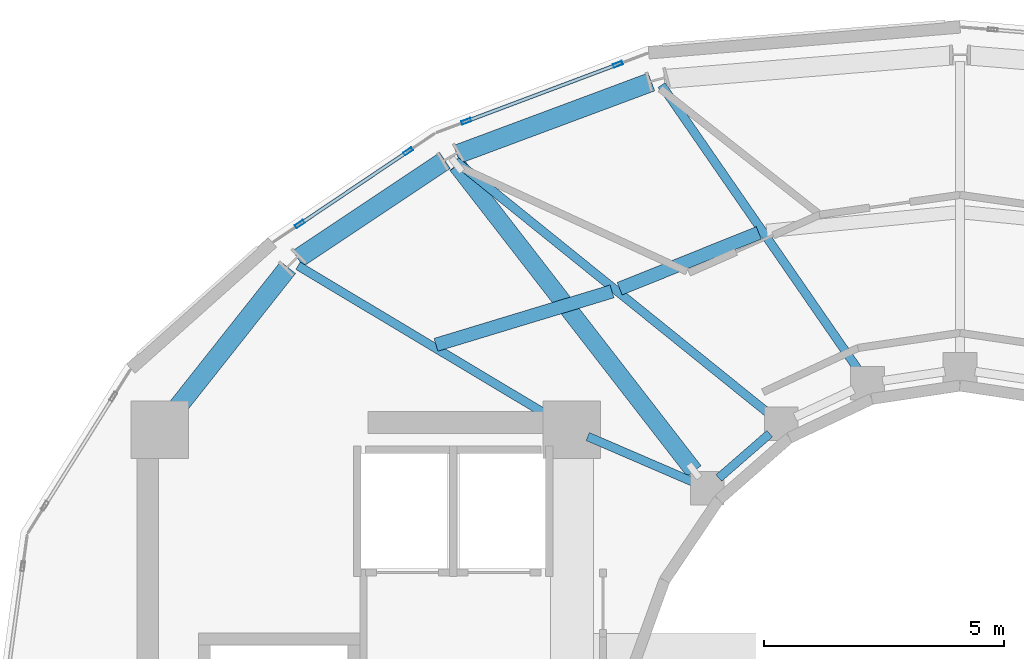
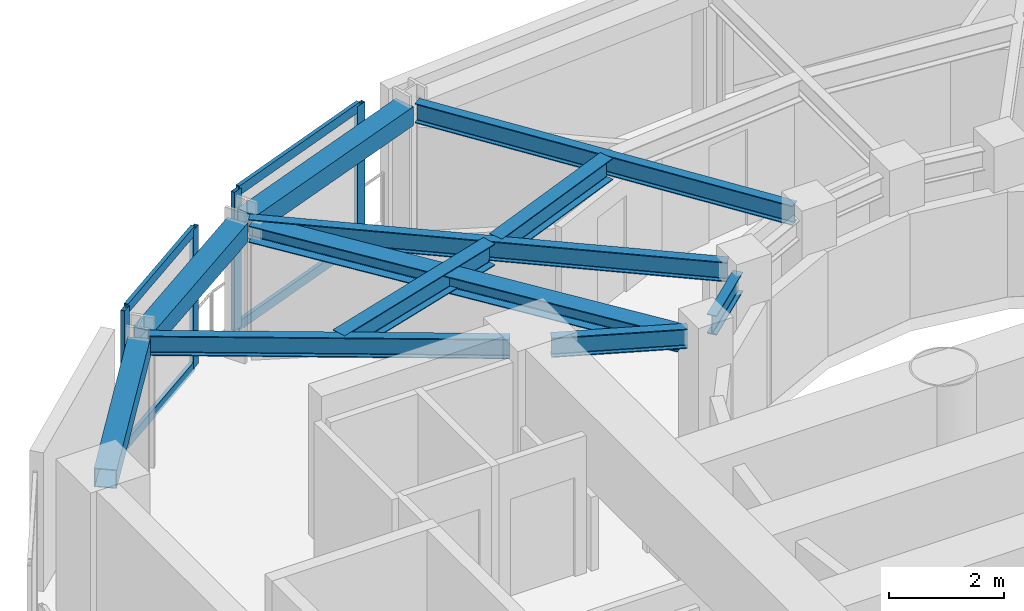
# One storey, part 9 of 17: 10 beams, 9 members, 2 elements without a shape of their own.
"""IFC4 building model written with IfcOpenShell, lengths in metres."""

from ifc_helpers import new_model, si_unit, direction, frame, origin, origin_2d, place, context, subcontext, project, spatial, hollow_rectangle, i_section, extrude, material, layer, layer_set, material_profile, profile_set, type_object, element, aggregate, save


model = new_model("IFC4")

# Units and contexts
model_context = context("Model", 3, precision=1e-05, world=origin(), true_north=direction((0.0, 1.0)))
body_context = subcontext(model_context, "Body", "Model", "MODEL_VIEW")
ifc_project = project(units=[si_unit("LENGTHUNIT", "METRE"), si_unit("AREAUNIT", "SQUARE_METRE"), si_unit("VOLUMEUNIT", "CUBIC_METRE"), si_unit("PLANEANGLEUNIT", "RADIAN"), si_unit("MASSUNIT", "GRAM", prefix="KILO")], contexts=[model_context])

# Site, building, storey
site_placement = place(None, origin())
site = spatial("IfcSite", under=ifc_project, at=site_placement, CompositionType="ELEMENT")
building_placement = place(site_placement, origin())
building = spatial("IfcBuilding", under=site, at=building_placement, Name="Solvane Sanctuary Tower", CompositionType="ELEMENT")
storey_placement = place(building_placement, frame((0.0, 0.0, 276.39990234375)))
storey = spatial("IfcBuildingStorey", under=building, at=storey_placement, Name="L84", CompositionType="ELEMENT", Elevation=276.39990234375)

# Beams
ifc_material_1 = material(Name="Steel ASTM A913 Grade 65", Category="steel")
ifc_material_profile_1 = material_profile(ifc_material_1, hollow_rectangle(XDim=0.39990234375, YDim=0.39990234375, WallThickness=0.01611328125, at=origin_2d()), Name="HSS400X400X16")
ifc_profile_set_1 = profile_set([ifc_material_profile_1], Name="Steel ASTM A913 Grade 65")
beam_type_1 = type_object("IfcBeamType", Name="Beam B-CROWN-CAP HSS400X400X16", PredefinedType="T_BEAM", material=ifc_profile_set_1)
beam_1_placement = place(storey_placement, frame((15.473876953125, 30.41943359375, 2.748046875), z_axis=(0.620591357269, 0.784134151331, 0.0), x_axis=(-0.784134151331, 0.620591357269, 0.0)))
element("IfcBeam", 1, at=beam_1_placement, inside=storey, type_object=beam_type_1, Name="L84 Perimeter Spandrel Beam CW4-TC07", PredefinedType="T_BEAM", context=body_context, shape_type="SweptSolid", body=[
    extrude(hollow_rectangle(XDim=0.39990234375, YDim=0.39990234375, WallThickness=0.01611328125, at=origin_2d()), origin(), (0.0, 0.0, 1.0), 4.03515625),
])
beam_2_placement = place(storey_placement, frame((18.181396484375, 33.77099609375, 2.748046875), z_axis=(0.832121550366, 0.554593297306, 0.0), x_axis=(-0.554593297306, 0.832121550366, 0.0)))
element("IfcBeam", 2, at=beam_2_placement, inside=storey, type_object=beam_type_1, Name="L84 Perimeter Spandrel Beam TC07-TC06", PredefinedType="T_BEAM", context=body_context, shape_type="SweptSolid", body=[
    extrude(hollow_rectangle(XDim=0.39990234375, YDim=0.39990234375, WallThickness=0.01611328125, at=origin_2d()), origin(), (0.0, 0.0, 1.0), 3.689453125),
])
beam_3_placement = place(storey_placement, frame((21.499267578125, 35.94384765625, 2.748046875), z_axis=(0.937063322724, 0.349159460998, 0.0), x_axis=(-0.349159460998, 0.937063322724, 0.0)))
element("IfcBeam", 3, at=beam_3_placement, inside=storey, type_object=beam_type_1, Name="L84 Perimeter Spandrel Beam TC06-TC05", PredefinedType="T_BEAM", context=body_context, shape_type="SweptSolid", body=[
    extrude(hollow_rectangle(XDim=0.39990234375, YDim=0.39990234375, WallThickness=0.01611328125, at=origin_2d()), origin(), (0.0, 0.0, 1.0), 4.333740234375),
])
ifc_material_2 = material(Name="Steel ASTM A992 Grade 50", Category="steel")
ifc_material_profile_2 = material_profile(ifc_material_2, i_section(OverallWidth=0.180908203125, OverallDepth=0.4169921875, WebThickness=0.010986328125, FlangeThickness=0.018310546875, FilletRadius=0.012939453125, at=origin_2d()), Name="W16X57")
ifc_profile_set_2 = profile_set([ifc_material_profile_2], Name="Steel ASTM A992 Grade 50")
beam_type_2 = type_object("IfcBeamType", Name="Beam B-ROOF-BM W16X57", PredefinedType="BEAM", material=ifc_profile_set_2)
beam_4_placement = place(storey_placement, frame((24.230712890625, 30.0576171875, 2.739501953125), z_axis=(0.918283854026, -0.395922673554, 0.0), x_axis=(0.395922673554, 0.918283854026, 0.0)))
element("IfcBeam", 4, at=beam_4_placement, inside=storey, type_object=beam_type_2, Name="L84 Inner Light-Well Ring Beam CW3-IC07", PredefinedType="BEAM", context=body_context, shape_type="SweptSolid", body=[
    extrude(i_section(OverallWidth=0.180908203125, OverallDepth=0.4169921875, WebThickness=0.010986328125, FlangeThickness=0.018310546875, FilletRadius=0.012939453125, at=origin_2d()), origin(), (0.0, 0.0, 1.0), 2.396240234375),
])
beam_5_placement = place(storey_placement, frame((26.96630859375, 29.192138671875, 2.739501953125), z_axis=(0.754388985763, 0.656427648839, 0.0), x_axis=(-0.656427648839, 0.754388985763, 0.0)))
element("IfcBeam", 5, at=beam_5_placement, inside=storey, type_object=beam_type_2, Name="L84 Inner Light-Well Ring Beam IC07-IC06", PredefinedType="BEAM", context=body_context, shape_type="SweptSolid", body=[
    extrude(i_section(OverallWidth=0.180908203125, OverallDepth=0.4169921875, WebThickness=0.010986328125, FlangeThickness=0.018310546875, FilletRadius=0.012939453125, at=origin_2d()), origin(), (0.0, 0.0, 1.0), 1.408203125),
])
beam_6_placement = place(storey_placement, frame((29.909912109375, 31.402099609375, 2.739501953125), z_axis=(-0.568538355694, 0.822656755947, 0.0), x_axis=(-0.822656755947, -0.568538355694, 0.0)))
element("IfcBeam", 6, at=beam_6_placement, inside=storey, type_object=beam_type_2, Name="L84 Radial Composite Floor Beam 05", PredefinedType="BEAM", context=body_context, shape_type="SweptSolid", body=[
    extrude(i_section(OverallWidth=0.180908203125, OverallDepth=0.4169921875, WebThickness=0.010986328125, FlangeThickness=0.018310546875, FilletRadius=0.012939453125, at=origin_2d()), origin(), (0.0, 0.0, 1.0), 7.279541015625),
])
beam_7_placement = place(storey_placement, frame((28.052001953125, 30.50244140625, 2.739501953125), z_axis=(-0.778293673561, 0.627900436132, 0.0), x_axis=(-0.627900436132, -0.778293673561, 0.0)))
element("IfcBeam", 7, at=beam_7_placement, inside=storey, type_object=beam_type_2, Name="L84 Radial Composite Floor Beam 06", PredefinedType="BEAM", context=body_context, shape_type="SweptSolid", body=[
    extrude(i_section(OverallWidth=0.180908203125, OverallDepth=0.4169921875, WebThickness=0.010986328125, FlangeThickness=0.018310546875, FilletRadius=0.012939453125, at=origin_2d()), origin(), (0.0, 0.0, 1.0), 8.447998046875),
])
beam_8_placement = place(storey_placement, frame((23.591064453125, 30.385009765625, 2.739501953125), z_axis=(-0.858001930559, 0.513646461252, 0.0), x_axis=(-0.513646461252, -0.858001930559, 0.0)))
element("IfcBeam", 8, at=beam_8_placement, inside=storey, type_object=beam_type_2, Name="L84 Radial Composite Floor Beam 07", PredefinedType="BEAM", context=body_context, shape_type="SweptSolid", body=[
    extrude(i_section(OverallWidth=0.180908203125, OverallDepth=0.4169921875, WebThickness=0.010986328125, FlangeThickness=0.018310546875, FilletRadius=0.012939453125, at=origin_2d()), origin(), (0.0, 0.0, 1.0), 6.30078125),
])
ifc_material_profile_3 = material_profile(ifc_material_2, i_section(OverallWidth=0.280029296875, OverallDepth=0.462890625, WebThickness=0.0107421875, FlangeThickness=0.017333984375, FilletRadius=0.013916015625, at=origin_2d()), Name="W18X76")
ifc_profile_set_3 = profile_set([ifc_material_profile_3], Name="Steel ASTM A992 Grade 50")
beam_type_3 = type_object("IfcBeamType", Name="Beam B-SEC-JOIST W18X76", PredefinedType="JOIST", material=ifc_profile_set_3)
beam_9_placement = place(storey_placement, frame((21.064208984375, 31.971435546875, 2.716552734375), z_axis=(0.95692003006, 0.290351607659, 0.0), x_axis=(-0.290351607659, 0.95692003006, 0.0)))
element("IfcBeam", 9, at=beam_9_placement, inside=storey, type_object=beam_type_3, Name="L84 Secondary Circumferential Joist 07-06", PredefinedType="JOIST", context=body_context, shape_type="SweptSolid", body=[
    extrude(i_section(OverallWidth=0.280029296875, OverallDepth=0.462890625, WebThickness=0.0107421875, FlangeThickness=0.017333984375, FilletRadius=0.013916015625, at=origin_2d()), origin(), (0.0, 0.0, 1.0), 3.83837890625),
])
beam_10_placement = place(storey_placement, frame((24.8984375, 33.142578125, 2.716552734375), z_axis=(0.928115538523, 0.372292287258, 0.0), x_axis=(-0.372292287258, 0.928115538523, 0.0)))
element("IfcBeam", 10, at=beam_10_placement, inside=storey, type_object=beam_type_3, Name="L84 Secondary Circumferential Joist 06-05", PredefinedType="JOIST", context=body_context, shape_type="SweptSolid", body=[
    extrude(i_section(OverallWidth=0.280029296875, OverallDepth=0.462890625, WebThickness=0.0107421875, FlangeThickness=0.017333984375, FilletRadius=0.013916015625, at=origin_2d()), origin(), (0.0, 0.0, 1.0), 3.12744140625),
])

# Member
ifc_material_profile_4 = material_profile(ifc_material_2, i_section(OverallWidth=0.368896484375, OverallDepth=0.35595703125, WebThickness=0.01123046875, FlangeThickness=0.01806640625, FilletRadius=0.02490234375, at=origin_2d()), Name="W14X90")
ifc_profile_set_4 = profile_set([ifc_material_profile_4], Name="Steel ASTM A992 Grade 50")
member_type_1 = type_object("IfcMemberType", Name="Member M-CROWN-TIE W14X90", PredefinedType="CHORD", material=ifc_profile_set_4)
member_1_placement = place(storey_placement, frame((26.44775390625, 29.33984375, 2.541015625), z_axis=(-0.612365021511, 0.790210815517, 0.023998905581), x_axis=(-0.790438473821, -0.612541442764, 0.0)))
element("IfcMember", 11, at=member_1_placement, inside=storey, type_object=member_type_1, Name="L84 Crown Bracing Tie 07", PredefinedType="CHORD", context=body_context, shape_type="SweptSolid", body=[
    extrude(i_section(OverallWidth=0.368896484375, OverallDepth=0.35595703125, WebThickness=0.01123046875, FlangeThickness=0.01806640625, FilletRadius=0.02490234375, at=origin_2d()), origin(), (0.0, 0.0, 1.0), 8.077392578125),
])

# Curtain wall, members
ifc_material_3 = material(Name="Anodised Aluminium 6063-T6", Category="aluminium")
ifc_layer = layer(ifc_material_3, 0.219970703125, Name="Anodised Aluminium 6063-T6")
ifc_layer_set = layer_set([ifc_layer], Name="Anodised Aluminium 6063-T6")
curtain_wall_type = type_object("IfcCurtainWallType", Name="Curtain Wall CW-CROWN", PredefinedType="NOTDEFINED", material=ifc_layer_set)
curtain_wall_1_placement = place(storey_placement, origin())
curtain_wall_1 = element("IfcCurtainWall", 12, at=curtain_wall_1_placement, inside=storey, type_object=curtain_wall_type, Name="L84 Crown Fritted Lantern Curtain Wall 07", PredefinedType="NOTDEFINED")
ifc_material_profile_5 = material_profile(ifc_material_3, hollow_rectangle(XDim=0.074951171875, YDim=0.199951171875, WallThickness=0.00390625, at=origin_2d()), Name="ALU200X75X4")
ifc_profile_set_5 = profile_set([ifc_material_profile_5], Name="Anodised Aluminium 6063-T6")
member_type_2 = type_object("IfcMemberType", Name="Member M-CW-MUL-1 ALU200X75X4", PredefinedType="MULLION", material=ifc_profile_set_5)
member_2_placement = place(storey_placement, frame((24.861083984375, 37.823974609375, 0.0), z_axis=(0.0, 0.0, 1.0), x_axis=(0.351811483483, -0.936070873433, 0.0)))
member_2 = element("IfcMember", 13, at=member_2_placement, type_object=member_type_2, Name="CW-CROWN mullion 1", PredefinedType="MULLION", context=body_context, shape_type="SweptSolid", body=[
    extrude(hollow_rectangle(XDim=0.074951171875, YDim=0.199951171875, WallThickness=0.00390625, at=origin_2d()), origin(), (0.0, 0.0, 1.0), 2.9501953125),
])
member_3_placement = place(storey_placement, frame((21.696533203125, 36.634521484375, 0.0), z_axis=(0.0, 0.0, 1.0), x_axis=(0.351811483483, -0.936070873433, 0.0)))
member_3 = element("IfcMember", 14, at=member_3_placement, type_object=member_type_2, Name="CW-CROWN mullion 2", PredefinedType="MULLION", context=body_context, shape_type="SweptSolid", body=[
    extrude(hollow_rectangle(XDim=0.074951171875, YDim=0.199951171875, WallThickness=0.00390625, at=origin_2d()), origin(), (0.0, 0.0, 1.0), 2.9501953125),
])

curtain_wall_2_placement = place(storey_placement, origin())
curtain_wall_2 = element("IfcCurtainWall", 15, at=curtain_wall_2_placement, inside=storey, type_object=curtain_wall_type, Name="L84 Crown Fritted Lantern Curtain Wall 08", PredefinedType="NOTDEFINED")
member_4_placement = place(storey_placement, frame((20.482421875, 36.009033203125, 0.0), z_axis=(0.0, 0.0, 1.0), x_axis=(0.557937331389, -0.829883084682, 0.0)))
member_4 = element("IfcMember", 16, at=member_4_placement, type_object=member_type_2, Name="CW-CROWN mullion 1", PredefinedType="MULLION", context=body_context, shape_type="SweptSolid", body=[
    extrude(hollow_rectangle(XDim=0.074951171875, YDim=0.199951171875, WallThickness=0.00390625, at=origin_2d()), origin(), (0.0, 0.0, 1.0), 2.9501953125),
])
member_5_placement = place(storey_placement, frame((18.22265625, 34.48974609375, 0.0), z_axis=(0.0, 0.0, 1.0), x_axis=(0.557937331389, -0.829883084682, 0.0)))
member_5 = element("IfcMember", 17, at=member_5_placement, type_object=member_type_2, Name="CW-CROWN mullion 2", PredefinedType="MULLION", context=body_context, shape_type="SweptSolid", body=[
    extrude(hollow_rectangle(XDim=0.074951171875, YDim=0.199951171875, WallThickness=0.00390625, at=origin_2d()), origin(), (0.0, 0.0, 1.0), 2.9501953125),
])

# Member
ifc_material_profile_6 = material_profile(ifc_material_3, hollow_rectangle(XDim=0.074951171875, YDim=0.199951171875, WallThickness=0.00390625, at=origin_2d()), Name="ALU200X75X4")
ifc_profile_set_6 = profile_set([ifc_material_profile_6], Name="Anodised Aluminium 6063-T6")
member_type_3 = type_object("IfcMemberType", Name="Member M-CW-TRN-2 ALU200X75X4", PredefinedType="USERDEFINED", material=ifc_profile_set_6)
member_6_placement = place(storey_placement, frame((24.826171875, 37.810791015625, 0.03759765625), z_axis=(-0.936064869235, -0.351827458543, 0.0), x_axis=(0.351827458543, -0.936064869235, 0.0)))
member_6 = element("IfcMember", 18, at=member_6_placement, type_object=member_type_3, Name="CW-CROWN transom 1.1", ObjectType="TRANSOM", PredefinedType="USERDEFINED", context=body_context, shape_type="SweptSolid", body=[
    extrude(hollow_rectangle(XDim=0.074951171875, YDim=0.199951171875, WallThickness=0.00390625, at=origin_2d()), origin(), (0.0, 0.0, 1.0), 3.305908203125),
])

member_7_placement = place(storey_placement, frame((24.826171875, 37.810791015625, 2.91259765625), z_axis=(-0.936064869235, -0.351827458543, 0.0), x_axis=(0.351827458543, -0.936064869235, 0.0)))
member_7 = element("IfcMember", 19, at=member_7_placement, type_object=member_type_3, Name="CW-CROWN transom 1.2", ObjectType="TRANSOM", PredefinedType="USERDEFINED", context=body_context, shape_type="SweptSolid", body=[
    extrude(hollow_rectangle(XDim=0.074951171875, YDim=0.199951171875, WallThickness=0.00390625, at=origin_2d()), origin(), (0.0, 0.0, 1.0), 3.305908203125),
])

aggregate(curtain_wall_1, [member_2, member_3, member_6, member_7])

member_8_placement = place(storey_placement, frame((20.451416015625, 35.988037109375, 0.03759765625), z_axis=(-0.829902188603, -0.557908914925, 0.0), x_axis=(0.557908914925, -0.829902188603, 0.0)))
member_8 = element("IfcMember", 20, at=member_8_placement, type_object=member_type_3, Name="CW-CROWN transom 1.1", ObjectType="TRANSOM", PredefinedType="USERDEFINED", context=body_context, shape_type="SweptSolid", body=[
    extrude(hollow_rectangle(XDim=0.074951171875, YDim=0.199951171875, WallThickness=0.00390625, at=origin_2d()), origin(), (0.0, 0.0, 1.0), 2.64794921875),
])

member_9_placement = place(storey_placement, frame((20.451416015625, 35.988037109375, 2.91259765625), z_axis=(-0.829902188603, -0.557908914925, 0.0), x_axis=(0.557908914925, -0.829902188603, 0.0)))
member_9 = element("IfcMember", 21, at=member_9_placement, type_object=member_type_3, Name="CW-CROWN transom 1.2", ObjectType="TRANSOM", PredefinedType="USERDEFINED", context=body_context, shape_type="SweptSolid", body=[
    extrude(hollow_rectangle(XDim=0.074951171875, YDim=0.199951171875, WallThickness=0.00390625, at=origin_2d()), origin(), (0.0, 0.0, 1.0), 2.64794921875),
])

aggregate(curtain_wall_2, [member_4, member_5, member_8, member_9])

save(model, "model.ifc")
